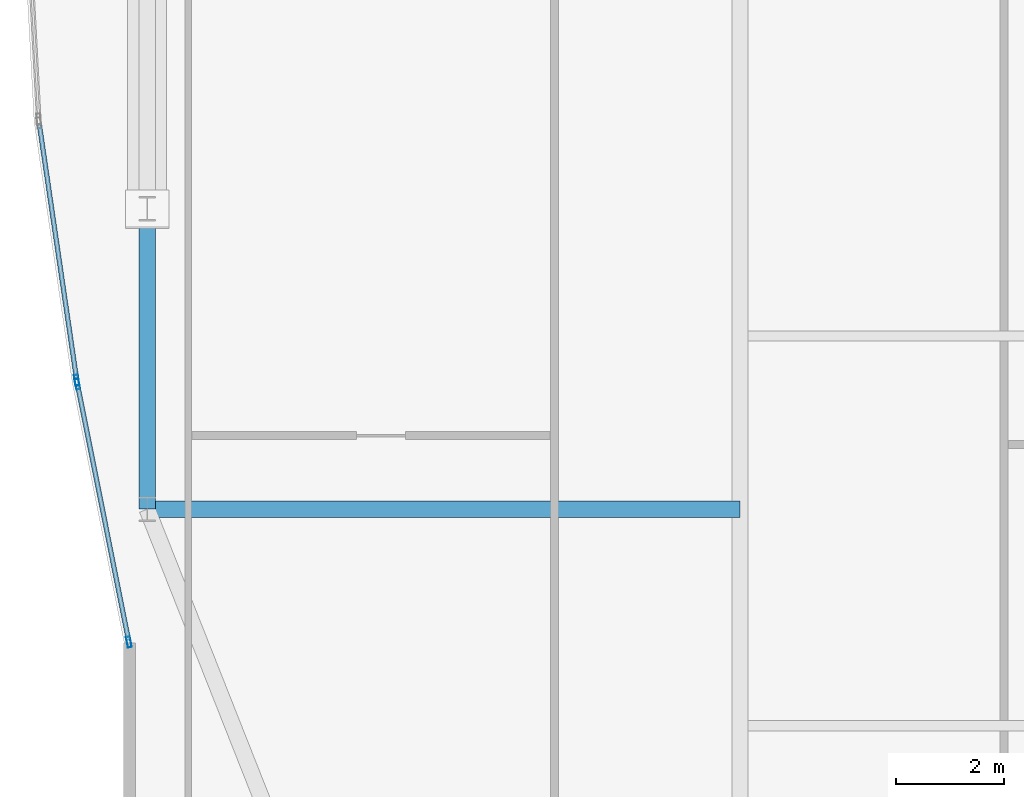
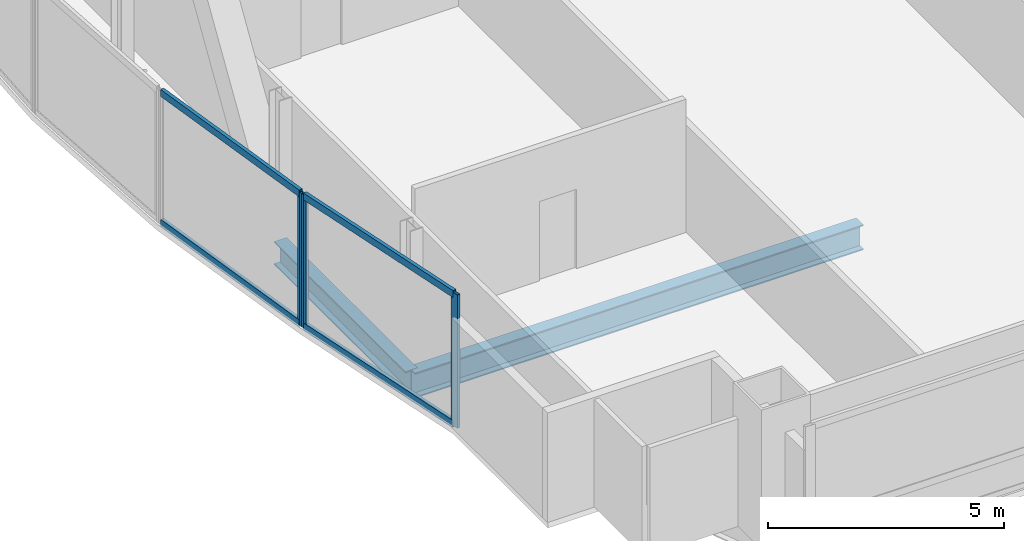
# One storey, part 6 of 32: 7 members, 2 beams, 2 elements without a shape of their own.
"""IFC4 building model written with IfcOpenShell, lengths in metres."""

from ifc_helpers import new_model, si_unit, direction, frame, origin, origin_2d, place, context, subcontext, project, spatial, hollow_rectangle, i_section, extrude, material, material_profile, profile_set, type_object, element, aggregate, save


model = new_model("IFC4")

# Units and contexts
model_context = context("Model", 3, precision=1e-05, world=origin(), true_north=direction((0.0, 1.0)))
body_context = subcontext(model_context, "Body", "Model", "MODEL_VIEW")
ifc_project = project(units=[si_unit("LENGTHUNIT", "METRE"), si_unit("AREAUNIT", "SQUARE_METRE"), si_unit("VOLUMEUNIT", "CUBIC_METRE"), si_unit("PLANEANGLEUNIT", "RADIAN"), si_unit("MASSUNIT", "GRAM", prefix="KILO")], contexts=[model_context])

# Site, building, storey
site_placement = place(None, origin())
site = spatial("IfcSite", under=ifc_project, at=site_placement, CompositionType="ELEMENT")
building_placement = place(site_placement, origin())
building = spatial("IfcBuilding", under=site, at=building_placement, Name="Khoronbel Lancet Exchange", CompositionType="ELEMENT")
storey_placement = place(building_placement, frame((0.0, 0.0, 221.0)))
storey = spatial("IfcBuildingStorey", under=building, at=storey_placement, Name="L56", CompositionType="ELEMENT", Elevation=221.0)

# Beams
ifc_material_1 = material(Name="Steel S355", Category="steel")
ifc_material_profile_1 = material_profile(ifc_material_1, i_section(OverallWidth=0.300048828125, OverallDepth=0.64990234375, WebThickness=0.01611328125, FlangeThickness=0.031005859375, at=origin_2d()), Name="HEB 650")
ifc_profile_set_1 = profile_set([ifc_material_profile_1], Name="Steel S355")
beam_type_1 = type_object("IfcBeamType", Name="BM-BG4", PredefinedType="BEAM", material=ifc_profile_set_1)
beam_1_placement = place(storey_placement, frame((7.27001953125, 19.199951171875, -0.485107421875), z_axis=(1.0, 0.0, 0.0), x_axis=(0.0, 1.0, 0.0)))
element("IfcBeam", 1, at=beam_1_placement, inside=storey, type_object=beam_type_1, Name="Level L56 west lens tie girder LG1W", PredefinedType="BEAM", context=body_context, shape_type="SweptSolid", body=[
    extrude(i_section(OverallWidth=0.300048828125, OverallDepth=0.64990234375, WebThickness=0.01611328125, FlangeThickness=0.031005859375, at=origin_2d()), origin(), (0.0, 0.0, 1.0), 10.955078125),
])
ifc_material_profile_2 = material_profile(ifc_material_1, i_section(OverallWidth=0.300048828125, OverallDepth=0.60009765625, WebThickness=0.015380859375, FlangeThickness=0.030029296875, at=origin_2d()), Name="HEB 600")
ifc_profile_set_2 = profile_set([ifc_material_profile_2], Name="Steel S355")
beam_type_2 = type_object("IfcBeamType", Name="BM-BSP2", PredefinedType="SPANDREL", material=ifc_profile_set_2)
beam_2_placement = place(storey_placement, frame((7.27001953125, 24.75, -0.4599609375), z_axis=(0.0, -1.0, 0.0), x_axis=(1.0, 0.0, 0.0)))
element("IfcBeam", 2, at=beam_2_placement, inside=storey, type_object=beam_type_2, Name="Level L56 perimeter spandrel beam SP20", PredefinedType="SPANDREL", context=body_context, shape_type="SweptSolid", body=[
    extrude(i_section(OverallWidth=0.300048828125, OverallDepth=0.60009765625, WebThickness=0.015380859375, FlangeThickness=0.030029296875, at=origin_2d()), origin(), (0.0, 0.0, 1.0), 5.550048828125),
])

# Curtain wall, members
ifc_material_2 = material(Name="Low-E Solar Control Insulating Glass", Category="glass")
curtain_wall_type = type_object("IfcCurtainWallType", Name="CW-4", PredefinedType="NOTDEFINED", material=ifc_material_2)
curtain_wall_1_placement = place(storey_placement, origin())
curtain_wall_1 = element("IfcCurtainWall", 3, at=curtain_wall_1_placement, inside=storey, type_object=curtain_wall_type, Name="Unitised curtain wall CW-L56-E04", PredefinedType="NOTDEFINED")
ifc_material_3 = material(Name="Bronze-Anodised Aluminium 6063-T6", Category="aluminium")
ifc_material_profile_3 = material_profile(ifc_material_3, hollow_rectangle(XDim=0.074951171875, YDim=0.199951171875, WallThickness=0.0048828125, at=origin_2d()), Name="ALU MULLION 75x200")
ifc_profile_set_3 = profile_set([ifc_material_profile_3], Name="Bronze-Anodised Aluminium 6063-T6")
member_type_1 = type_object("IfcMemberType", Name="MEM-CWM2", PredefinedType="MULLION", material=ifc_profile_set_3)
member_1_placement = place(storey_placement, frame((6.9326171875, 16.74560546875, 0.0), z_axis=(0.0, 0.0, 1.0), x_axis=(-0.980636746666, -0.19583557156, 0.0)))
member_1 = element("IfcMember", 4, at=member_1_placement, type_object=member_type_1, Name="CW4 mullion 1", PredefinedType="MULLION", context=body_context, shape_type="SweptSolid", body=[
    extrude(hollow_rectangle(XDim=0.074951171875, YDim=0.199951171875, WallThickness=0.0048828125, at=origin_2d()), origin(), (0.0, 0.0, 1.0), 3.43994140625),
])
member_2_placement = place(storey_placement, frame((5.98095703125, 21.51171875, 0.0), z_axis=(0.0, 0.0, 1.0), x_axis=(-0.980636746666, -0.19583557156, 0.0)))
member_2 = element("IfcMember", 5, at=member_2_placement, type_object=member_type_1, Name="CW4 mullion 2", PredefinedType="MULLION", context=body_context, shape_type="SweptSolid", body=[
    extrude(hollow_rectangle(XDim=0.074951171875, YDim=0.199951171875, WallThickness=0.0048828125, at=origin_2d()), origin(), (0.0, 0.0, 1.0), 3.43994140625),
])

# Curtain wall, member
curtain_wall_2_placement = place(storey_placement, origin())
curtain_wall_2 = element("IfcCurtainWall", 6, at=curtain_wall_2_placement, inside=storey, type_object=curtain_wall_type, Name="Unitised curtain wall CW-L56-E05", PredefinedType="NOTDEFINED")
member_3_placement = place(storey_placement, frame((5.968017578125, 21.585693359375, 0.0), z_axis=(0.0, 0.0, 1.0), x_axis=(-0.989484260483, -0.144640583019, 0.0)))
member_3 = element("IfcMember", 7, at=member_3_placement, type_object=member_type_1, Name="CW4 mullion 1", PredefinedType="MULLION", context=body_context, shape_type="SweptSolid", body=[
    extrude(hollow_rectangle(XDim=0.074951171875, YDim=0.199951171875, WallThickness=0.0048828125, at=origin_2d()), origin(), (0.0, 0.0, 1.0), 3.43994140625),
])

# Member
ifc_material_profile_4 = material_profile(ifc_material_3, hollow_rectangle(XDim=0.0849609375, YDim=0.179931640625, WallThickness=0.0048828125, at=origin_2d()), Name="ALU TRANSOM 85x180")
ifc_profile_set_4 = profile_set([ifc_material_profile_4], Name="Bronze-Anodised Aluminium 6063-T6")
member_type_2 = type_object("IfcMemberType", Name="MEM-CWT1", PredefinedType="USERDEFINED", material=ifc_profile_set_4)
member_4_placement = place(storey_placement, frame((6.92529296875, 16.782470703125, 0.04248046875), z_axis=(-0.195811972342, 0.980641459193, 0.0), x_axis=(-0.980641459193, -0.195811972342, 0.0)))
member_4 = element("IfcMember", 8, at=member_4_placement, type_object=member_type_2, Name="CW4 transom 1.1", ObjectType="TRANSOM", PredefinedType="USERDEFINED", context=body_context, shape_type="SweptSolid", body=[
    extrude(hollow_rectangle(XDim=0.0849609375, YDim=0.179931640625, WallThickness=0.0048828125, at=origin_2d()), origin(), (0.0, 0.0, 1.0), 4.78515625),
])

member_5_placement = place(storey_placement, frame((6.92529296875, 16.782470703125, 3.3974609375), z_axis=(-0.195811972342, 0.980641459193, 0.0), x_axis=(-0.980641459193, -0.195811972342, 0.0)))
member_5 = element("IfcMember", 9, at=member_5_placement, type_object=member_type_2, Name="CW4 transom 1.2", ObjectType="TRANSOM", PredefinedType="USERDEFINED", context=body_context, shape_type="SweptSolid", body=[
    extrude(hollow_rectangle(XDim=0.0849609375, YDim=0.179931640625, WallThickness=0.0048828125, at=origin_2d()), origin(), (0.0, 0.0, 1.0), 4.78515625),
])

aggregate(curtain_wall_1, [member_1, member_2, member_4, member_5])

member_6_placement = place(storey_placement, frame((5.962646484375, 21.622802734375, 0.04248046875), z_axis=(-0.144630258354, 0.989485769665, 0.0), x_axis=(-0.989485769665, -0.144630258354, 0.0)))
member_6 = element("IfcMember", 10, at=member_6_placement, type_object=member_type_2, Name="CW4 transom 1.1", ObjectType="TRANSOM", PredefinedType="USERDEFINED", context=body_context, shape_type="SweptSolid", body=[
    extrude(hollow_rectangle(XDim=0.0849609375, YDim=0.179931640625, WallThickness=0.0048828125, at=origin_2d()), origin(), (0.0, 0.0, 1.0), 4.728271484375),
])

member_7_placement = place(storey_placement, frame((5.962646484375, 21.622802734375, 3.3974609375), z_axis=(-0.144630258354, 0.989485769665, 0.0), x_axis=(-0.989485769665, -0.144630258354, 0.0)))
member_7 = element("IfcMember", 11, at=member_7_placement, type_object=member_type_2, Name="CW4 transom 1.2", ObjectType="TRANSOM", PredefinedType="USERDEFINED", context=body_context, shape_type="SweptSolid", body=[
    extrude(hollow_rectangle(XDim=0.0849609375, YDim=0.179931640625, WallThickness=0.0048828125, at=origin_2d()), origin(), (0.0, 0.0, 1.0), 4.728271484375),
])

aggregate(curtain_wall_2, [member_3, member_6, member_7])

save(model, "model.ifc")
